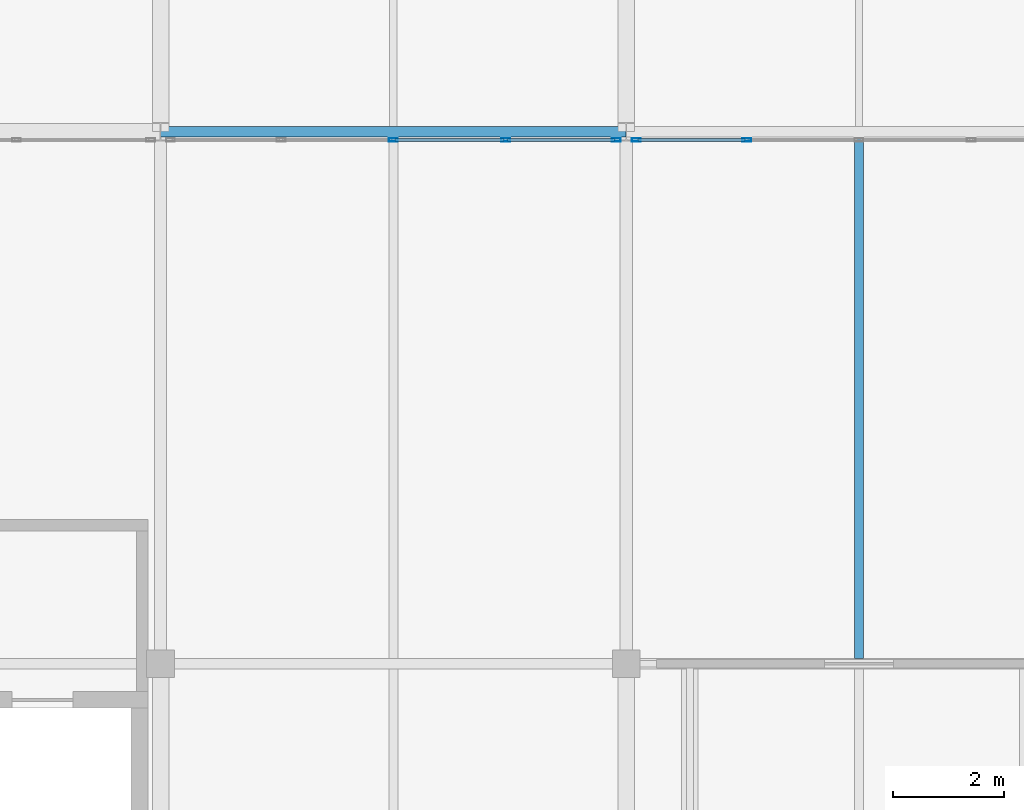
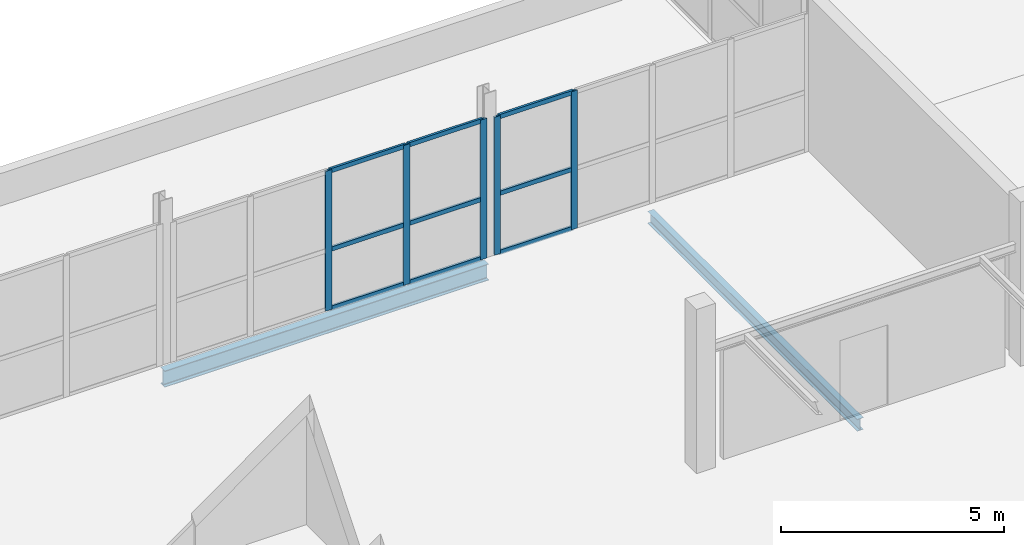
# One storey, part 52 of 103: 14 members, 2 beams, 2 elements without a shape of their own.
"""IFC4 building model written with IfcOpenShell, lengths in metres."""

from ifc_helpers import new_model, si_unit, direction, frame, origin, origin_2d, place, context, subcontext, project, spatial, hollow_rectangle, i_section, extrude, material, material_profile, profile_set, type_object, element, aggregate, save


model = new_model("IFC4")

# Units and contexts
model_context = context("Model", 3, precision=1e-05, world=origin(), true_north=direction((0.0, 1.0)))
body_context = subcontext(model_context, "Body", "Model", "MODEL_VIEW")
ifc_project = project(units=[si_unit("LENGTHUNIT", "METRE"), si_unit("AREAUNIT", "SQUARE_METRE"), si_unit("VOLUMEUNIT", "CUBIC_METRE"), si_unit("PLANEANGLEUNIT", "RADIAN"), si_unit("MASSUNIT", "GRAM", prefix="KILO")], contexts=[model_context])

# Site, building, storey
site_placement = place(None, origin())
site = spatial("IfcSite", under=ifc_project, at=site_placement, CompositionType="ELEMENT")
building_placement = place(site_placement, origin())
building = spatial("IfcBuilding", under=site, at=building_placement, Name="Veltarok Museum of Natural Sciences", CompositionType="ELEMENT")
storey_placement = place(building_placement, frame((0.0, 0.0, 21.89990234375)))
storey = spatial("IfcBuildingStorey", under=building, at=storey_placement, Name="L04", CompositionType="ELEMENT", Elevation=21.89990234375)

# Curtain wall, members
ifc_material_1 = material(Name="Low-iron triple insulated glass", Category="glass")
curtain_wall_type_1 = type_object("IfcCurtainWallType", Name="Curtain Wall System CW-V5CN4-L04-1-810x383 (CW-V5CN4 L04 810x383cm)", PredefinedType="NOTDEFINED", material=ifc_material_1)
curtain_wall_1_placement = place(storey_placement, origin())
curtain_wall_1 = element("IfcCurtainWall", 1, at=curtain_wall_1_placement, inside=storey, type_object=curtain_wall_type_1, Name="Curtain Wall CW-V5CN4-L04-1-810x383 CW-0197", PredefinedType="NOTDEFINED")
ifc_material_2 = material(Name="Thermally broken anodised aluminium", Category="aluminium")
ifc_material_profile_1 = material_profile(ifc_material_2, hollow_rectangle(XDim=0.06005859375, YDim=0.1201171875, WallThickness=0.0048828125, at=origin_2d()), Name="CW TRANSOM 60x120x5")
ifc_profile_set_1 = profile_set([ifc_material_profile_1], Name="Thermally broken anodised aluminium")
member_type_1 = type_object("IfcMemberType", Name="Curtain Wall Horizontal Transom 60x120x5", PredefinedType="USERDEFINED", material=ifc_profile_set_1)
member_1_placement = place(storey_placement, frame((123.7900390625, 19.050048828125, 0.028076171875), z_axis=(-1.0, 0.0, 0.0), x_axis=(0.0, -1.0, 0.0)))
member_1 = element("IfcMember", 2, at=member_1_placement, type_object=member_type_1, Name="CW-V5CN4-L04-1-810x383 transom 1.1", ObjectType="TRANSOM", PredefinedType="USERDEFINED", context=body_context, shape_type="SweptSolid", body=[
    extrude(hollow_rectangle(XDim=0.06005859375, YDim=0.1201171875, WallThickness=0.0048828125, at=origin_2d()), origin(), (0.0, 0.0, 1.0), 1.93505859375),
])
member_2_placement = place(storey_placement, frame((123.7900390625, 19.050048828125, 1.648193359375), z_axis=(-1.0, 0.0, 0.0), x_axis=(0.0, -1.0, 0.0)))
member_2 = element("IfcMember", 3, at=member_2_placement, type_object=member_type_1, Name="CW-V5CN4-L04-1-810x383 transom 1.2", ObjectType="TRANSOM", PredefinedType="USERDEFINED", context=body_context, shape_type="SweptSolid", body=[
    extrude(hollow_rectangle(XDim=0.06005859375, YDim=0.1201171875, WallThickness=0.0048828125, at=origin_2d()), origin(), (0.0, 0.0, 1.0), 1.93505859375),
])
member_3_placement = place(storey_placement, frame((123.7900390625, 19.050048828125, 3.800048828125), z_axis=(-1.0, 0.0, 0.0), x_axis=(0.0, -1.0, 0.0)))
member_3 = element("IfcMember", 4, at=member_3_placement, type_object=member_type_1, Name="CW-V5CN4-L04-1-810x383 transom 1.3", ObjectType="TRANSOM", PredefinedType="USERDEFINED", context=body_context, shape_type="SweptSolid", body=[
    extrude(hollow_rectangle(XDim=0.06005859375, YDim=0.1201171875, WallThickness=0.0048828125, at=origin_2d()), origin(), (0.0, 0.0, 1.0), 1.93505859375),
])
member_4_placement = place(storey_placement, frame((121.794921875, 19.050048828125, 0.028076171875), z_axis=(-1.0, 0.0, 0.0), x_axis=(0.0, -1.0, 0.0)))
member_4 = element("IfcMember", 5, at=member_4_placement, type_object=member_type_1, Name="CW-V5CN4-L04-1-810x383 transom 2.1", ObjectType="TRANSOM", PredefinedType="USERDEFINED", context=body_context, shape_type="SweptSolid", body=[
    extrude(hollow_rectangle(XDim=0.06005859375, YDim=0.1201171875, WallThickness=0.0048828125, at=origin_2d()), origin(), (0.0, 0.0, 1.0), 1.96484375),
])
member_5_placement = place(storey_placement, frame((121.794921875, 19.050048828125, 1.648193359375), z_axis=(-1.0, 0.0, 0.0), x_axis=(0.0, -1.0, 0.0)))
member_5 = element("IfcMember", 6, at=member_5_placement, type_object=member_type_1, Name="CW-V5CN4-L04-1-810x383 transom 2.2", ObjectType="TRANSOM", PredefinedType="USERDEFINED", context=body_context, shape_type="SweptSolid", body=[
    extrude(hollow_rectangle(XDim=0.06005859375, YDim=0.1201171875, WallThickness=0.0048828125, at=origin_2d()), origin(), (0.0, 0.0, 1.0), 1.96484375),
])
member_6_placement = place(storey_placement, frame((121.794921875, 19.050048828125, 3.800048828125), z_axis=(-1.0, 0.0, 0.0), x_axis=(0.0, -1.0, 0.0)))
member_6 = element("IfcMember", 7, at=member_6_placement, type_object=member_type_1, Name="CW-V5CN4-L04-1-810x383 transom 2.3", ObjectType="TRANSOM", PredefinedType="USERDEFINED", context=body_context, shape_type="SweptSolid", body=[
    extrude(hollow_rectangle(XDim=0.06005859375, YDim=0.1201171875, WallThickness=0.0048828125, at=origin_2d()), origin(), (0.0, 0.0, 1.0), 1.96484375),
])

curtain_wall_type_2 = type_object("IfcCurtainWallType", Name="Curtain Wall System CW-V5CN4-L04-2-810x378 (CW-V5CN4 L04 810x378cm)", PredefinedType="NOTDEFINED", material=ifc_material_1)
curtain_wall_2_placement = place(storey_placement, origin())
curtain_wall_2 = element("IfcCurtainWall", 8, at=curtain_wall_2_placement, inside=storey, type_object=curtain_wall_type_2, Name="Curtain Wall CW-V5CN4-L04-2-810x378 CW-0198", PredefinedType="NOTDEFINED")
member_7_placement = place(storey_placement, frame((126.14501953125, 19.050048828125, 0.028076171875), z_axis=(-1.0, 0.0, 0.0), x_axis=(0.0, -1.0, 0.0)))
member_7 = element("IfcMember", 9, at=member_7_placement, type_object=member_type_1, Name="CW-V5CN4-L04-2-810x378 transom 4.1", ObjectType="TRANSOM", PredefinedType="USERDEFINED", context=body_context, shape_type="SweptSolid", body=[
    extrude(hollow_rectangle(XDim=0.06005859375, YDim=0.1201171875, WallThickness=0.0048828125, at=origin_2d()), origin(), (0.0, 0.0, 1.0), 1.93505859375),
])
member_8_placement = place(storey_placement, frame((126.14501953125, 19.050048828125, 1.648193359375), z_axis=(-1.0, 0.0, 0.0), x_axis=(0.0, -1.0, 0.0)))
member_8 = element("IfcMember", 10, at=member_8_placement, type_object=member_type_1, Name="CW-V5CN4-L04-2-810x378 transom 4.2", ObjectType="TRANSOM", PredefinedType="USERDEFINED", context=body_context, shape_type="SweptSolid", body=[
    extrude(hollow_rectangle(XDim=0.06005859375, YDim=0.1201171875, WallThickness=0.0048828125, at=origin_2d()), origin(), (0.0, 0.0, 1.0), 1.93505859375),
])
member_9_placement = place(storey_placement, frame((126.14501953125, 19.050048828125, 3.75), z_axis=(-1.0, 0.0, 0.0), x_axis=(0.0, -1.0, 0.0)))
member_9 = element("IfcMember", 11, at=member_9_placement, type_object=member_type_1, Name="CW-V5CN4-L04-2-810x378 transom 4.3", ObjectType="TRANSOM", PredefinedType="USERDEFINED", context=body_context, shape_type="SweptSolid", body=[
    extrude(hollow_rectangle(XDim=0.06005859375, YDim=0.1201171875, WallThickness=0.0048828125, at=origin_2d()), origin(), (0.0, 0.0, 1.0), 1.93505859375),
])

# Member
ifc_material_profile_2 = material_profile(ifc_material_2, hollow_rectangle(XDim=0.06005859375, YDim=0.159912109375, WallThickness=0.0048828125, at=origin_2d()), Name="CW MULLION 60x160x5")
ifc_profile_set_2 = profile_set([ifc_material_profile_2], Name="Thermally broken anodised aluminium")
member_type_2 = type_object("IfcMemberType", Name="Curtain Wall Vertical Mullion 60x160x5", PredefinedType="MULLION", material=ifc_profile_set_2)
member_10_placement = place(storey_placement, frame((123.820068359375, 19.050048828125, -0.001953125), z_axis=(0.0, 0.0, 1.0), x_axis=(0.0, -1.0, 0.0)))
member_10 = element("IfcMember", 12, at=member_10_placement, type_object=member_type_2, Name="CW-V5CN4-L04-1-810x383 mullion 1", PredefinedType="MULLION", context=body_context, shape_type="SweptSolid", body=[
    extrude(hollow_rectangle(XDim=0.06005859375, YDim=0.159912109375, WallThickness=0.0048828125, at=origin_2d()), origin(), (0.0, 0.0, 1.0), 3.83203125),
])

member_11_placement = place(storey_placement, frame((121.824951171875, 19.050048828125, -0.001953125), z_axis=(0.0, 0.0, 1.0), x_axis=(0.0, -1.0, 0.0)))
member_11 = element("IfcMember", 13, at=member_11_placement, type_object=member_type_2, Name="CW-V5CN4-L04-1-810x383 mullion 2", PredefinedType="MULLION", context=body_context, shape_type="SweptSolid", body=[
    extrude(hollow_rectangle(XDim=0.06005859375, YDim=0.159912109375, WallThickness=0.0048828125, at=origin_2d()), origin(), (0.0, 0.0, 1.0), 3.83203125),
])

member_12_placement = place(storey_placement, frame((119.800048828125, 19.050048828125, -0.001953125), z_axis=(0.0, 0.0, 1.0), x_axis=(0.0, -1.0, 0.0)))
member_12 = element("IfcMember", 14, at=member_12_placement, type_object=member_type_2, Name="CW-V5CN4-L04-1-810x383 mullion 3", PredefinedType="MULLION", context=body_context, shape_type="SweptSolid", body=[
    extrude(hollow_rectangle(XDim=0.06005859375, YDim=0.159912109375, WallThickness=0.0048828125, at=origin_2d()), origin(), (0.0, 0.0, 1.0), 3.83203125),
])

aggregate(curtain_wall_1, [member_10, member_11, member_12, member_1, member_2, member_3, member_4, member_5, member_6])

member_13_placement = place(storey_placement, frame((126.175048828125, 19.050048828125, -0.001953125), z_axis=(0.0, 0.0, 1.0), x_axis=(0.0, -1.0, 0.0)))
member_13 = element("IfcMember", 15, at=member_13_placement, type_object=member_type_2, Name="CW-V5CN4-L04-2-810x378 mullion 4", PredefinedType="MULLION", context=body_context, shape_type="SweptSolid", body=[
    extrude(hollow_rectangle(XDim=0.06005859375, YDim=0.159912109375, WallThickness=0.0048828125, at=origin_2d()), origin(), (0.0, 0.0, 1.0), 3.781982421875),
])

member_14_placement = place(storey_placement, frame((124.179931640625, 19.050048828125, -0.001953125), z_axis=(0.0, 0.0, 1.0), x_axis=(0.0, -1.0, 0.0)))
member_14 = element("IfcMember", 16, at=member_14_placement, type_object=member_type_2, Name="CW-V5CN4-L04-2-810x378 mullion 5", PredefinedType="MULLION", context=body_context, shape_type="SweptSolid", body=[
    extrude(hollow_rectangle(XDim=0.06005859375, YDim=0.159912109375, WallThickness=0.0048828125, at=origin_2d()), origin(), (0.0, 0.0, 1.0), 3.781982421875),
])

aggregate(curtain_wall_2, [member_13, member_14, member_7, member_8, member_9])

# Beams
ifc_material_3 = material(Name="Steel S355J2", Category="steel")
ifc_material_profile_3 = material_profile(ifc_material_3, i_section(OverallWidth=0.18994140625, OverallDepth=0.449951171875, WebThickness=0.009521484375, FlangeThickness=0.0146484375, FilletRadius=0.02099609375, at=origin_2d()), Name="IPE 450")
ifc_profile_set_3 = profile_set([ifc_material_profile_3], Name="Steel S355J2")
beam_type_1 = type_object("IfcBeamType", Name="Laboratory Floor Girder IPE 450", PredefinedType="BEAM", material=ifc_profile_set_3)
beam_1_placement = place(storey_placement, frame((115.60009765625, 19.199951171875, -0.474853515625), z_axis=(1.0, 0.0, 0.0), x_axis=(0.0, 1.0, 0.0)))
element("IfcBeam", 17, at=beam_1_placement, inside=storey, type_object=beam_type_1, Name="Beam BM-G05 L04 14-15/C", PredefinedType="BEAM", context=body_context, shape_type="SweptSolid", body=[
    extrude(i_section(OverallWidth=0.18994140625, OverallDepth=0.449951171875, WebThickness=0.009521484375, FlangeThickness=0.0146484375, FilletRadius=0.02099609375, at=origin_2d()), origin(), (0.0, 0.0, 1.0), 8.39990234375),
])
ifc_material_profile_4 = material_profile(ifc_material_3, i_section(OverallWidth=0.159912109375, OverallDepth=0.330078125, WebThickness=0.007568359375, FlangeThickness=0.011474609375, FilletRadius=0.01806640625, at=origin_2d()), Name="IPE 330")
ifc_profile_set_4 = profile_set([ifc_material_profile_4], Name="Steel S355J2")
beam_type_2 = type_object("IfcBeamType", Name="Medium-Bay Composite Joist IPE 330", PredefinedType="JOIST", material=ifc_profile_set_4)
beam_2_placement = place(storey_placement, frame((128.199951171875, 9.693115234375, -0.414794921875), z_axis=(0.0, 1.0, 0.0), x_axis=(-1.0, 0.0, 0.0)))
element("IfcBeam", 18, at=beam_2_placement, inside=storey, type_object=beam_type_2, Name="Secondary Joist BM-J02 L04 15-16/B-C.1", PredefinedType="JOIST", context=body_context, shape_type="SweptSolid", body=[
    extrude(i_section(OverallWidth=0.159912109375, OverallDepth=0.330078125, WebThickness=0.007568359375, FlangeThickness=0.011474609375, FilletRadius=0.01806640625, at=origin_2d()), origin(), (0.0, 0.0, 1.0), 9.413818359375),
])

save(model, "model.ifc")
